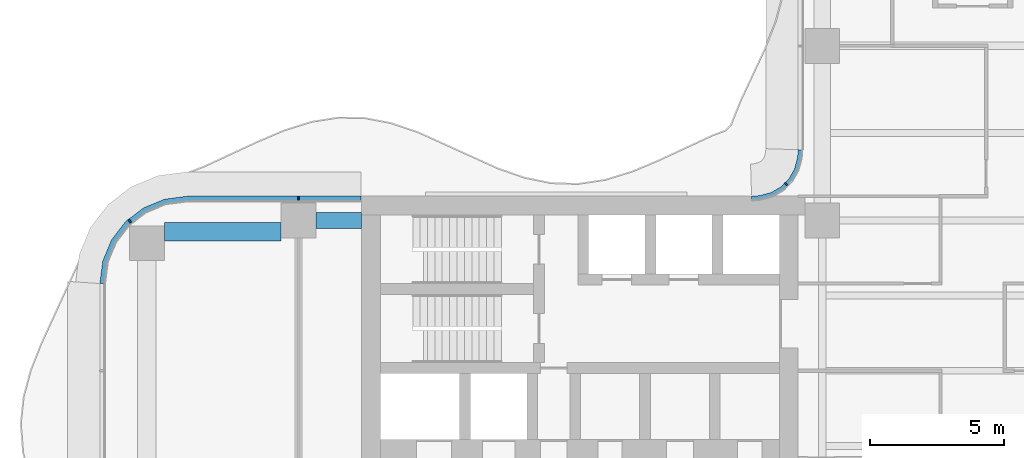
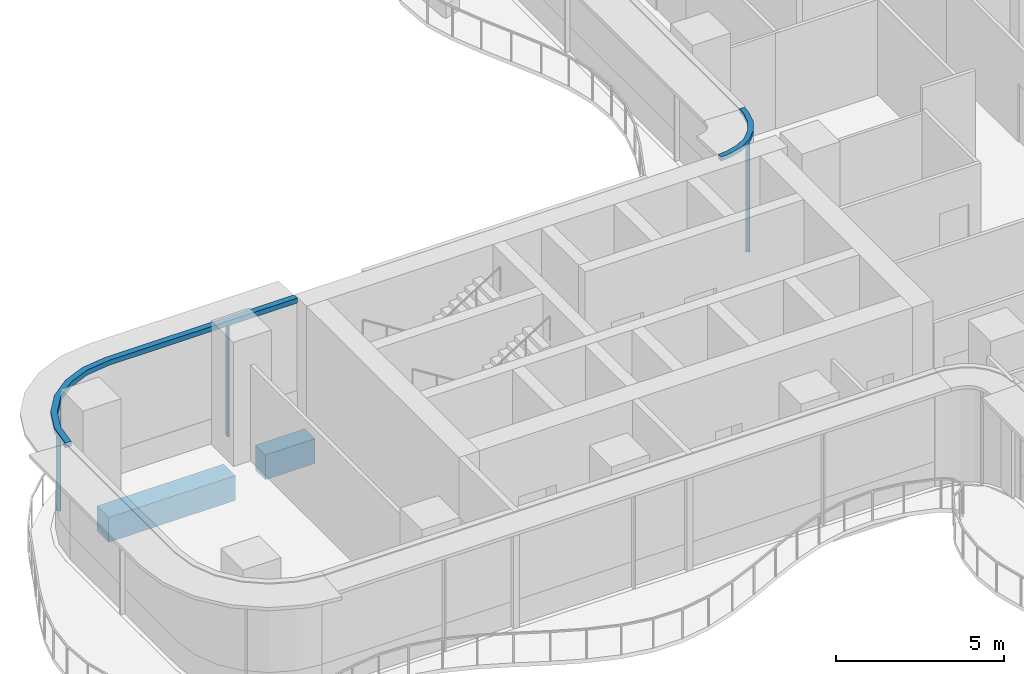
# One storey, part 8 of 20: 5 members, 2 beams, 2 elements without a shape of their own.
"""IFC4 building model written with IfcOpenShell, lengths in metres."""

from ifc_helpers import new_model, si_unit, direction, frame, origin, origin_2d, place, context, subcontext, project, spatial, polyline, rectangle, outline, extrude, source, transform, mapped, material, layer, layer_set, material_profile, profile_set, type_object, element, aggregate, save


model = new_model("IFC4")

# Units and contexts
model_context = context("Model", 3, precision=1e-05, world=origin(), true_north=direction((0.0, 1.0)))
body_context = subcontext(model_context, "Body", "Model", "MODEL_VIEW")
ifc_project = project(units=[si_unit("LENGTHUNIT", "METRE"), si_unit("AREAUNIT", "SQUARE_METRE"), si_unit("VOLUMEUNIT", "CUBIC_METRE"), si_unit("PLANEANGLEUNIT", "RADIAN"), si_unit("MASSUNIT", "GRAM", prefix="KILO")], contexts=[model_context])

# Site, building, storey
site_placement = place(None, origin())
site = spatial("IfcSite", under=ifc_project, at=site_placement, CompositionType="ELEMENT")
building_placement = place(site_placement, origin())
building = spatial("IfcBuilding", under=site, at=building_placement, Name="Trellis Farm Tower", CompositionType="ELEMENT")
storey_placement = place(building_placement, frame((0.0, 0.0, 129.0)))
storey = spatial("IfcBuildingStorey", under=building, at=storey_placement, Name="L27", CompositionType="ELEMENT", Elevation=129.0)

# Beams
ifc_material_1 = material(Name="Concrete C60/75", Category="concrete")
ifc_material_profile_1 = material_profile(ifc_material_1, rectangle(XDim=0.60009765625, YDim=0.89990234375, at=origin_2d()), Name="RC spandrel beam 600x900 C60/75")
ifc_profile_set_1 = profile_set([ifc_material_profile_1], Name="Concrete C60/75")
beam_type_1 = type_object("IfcBeamType", Name="RC spandrel beam 600x900 C60/75", PredefinedType="SPANDREL", material=ifc_profile_set_1)
shared_shape_1 = source(origin(), body_context, "Body", "SweptSolid", [
    extrude(rectangle(XDim=0.60009765625, YDim=0.89990234375, at=origin_2d()), origin(), (0.0, 0.0, 1.0), 1.699951171875),
])
beam_1_placement = place(storey_placement, frame((-24.449951171875, 5.60009765625, -0.699951171875), z_axis=(1.0, 0.0, 0.0), x_axis=(0.0, 1.0, 0.0)))
element("IfcBeam", 1, at=beam_1_placement, inside=storey, type_object=beam_type_1, Name="Girder", PredefinedType="SPANDREL", context=body_context, shape_type="MappedRepresentation", body=[
    mapped(shared_shape_1, transform((0.0, 0.0, 0.0))),
])
ifc_material_profile_2 = material_profile(ifc_material_1, rectangle(XDim=0.699951171875, YDim=0.89990234375, at=origin_2d()), Name="RC spandrel beam 700x900 C60/75")
ifc_profile_set_2 = profile_set([ifc_material_profile_2], Name="Concrete C60/75")
beam_type_2 = type_object("IfcBeamType", Name="RC spandrel beam 700x900 C60/75", PredefinedType="SPANDREL", material=ifc_profile_set_2)
shared_shape_2 = source(origin(), body_context, "Body", "SweptSolid", [
    extrude(rectangle(XDim=0.699951171875, YDim=0.89990234375, at=origin_2d()), origin(), (0.0, 0.0, 1.0), 4.35009765625),
])
beam_2_placement = place(storey_placement, frame((-30.10009765625, 5.175048828125, -0.699951171875), z_axis=(1.0, 0.0, 0.0), x_axis=(0.0, 1.0, 0.0)))
element("IfcBeam", 2, at=beam_2_placement, inside=storey, type_object=beam_type_2, Name="Girder", PredefinedType="SPANDREL", context=body_context, shape_type="MappedRepresentation", body=[
    mapped(shared_shape_2, transform((0.0, 0.0, 0.0))),
])

# Curtain wall, members
ifc_material_2 = material(Name="Aluminium and glass curtain wall", Category="aluminium")
ifc_layer_1 = layer(ifc_material_2, 0.18994140625)
ifc_layer_set_1 = layer_set([ifc_layer_1], Name="RIBBON CURTAIN WALL CW1")
curtain_wall_type_1 = type_object("IfcCurtainWallType", Name="RIBBON CURTAIN WALL CW1", PredefinedType="NOTDEFINED", material=ifc_layer_set_1)
placement = place(storey_placement, origin())
curtain_wall_1 = element("IfcCurtainWall", 3, at=placement, inside=storey, type_object=curtain_wall_type_1, Name="CW1 012", PredefinedType="NOTDEFINED")
ifc_material_3 = material(Name="Aluminium extrusion 6063-T6", Category="aluminium")
ifc_material_profile_3 = material_profile(ifc_material_3, rectangle(XDim=0.06005859375, YDim=0.14990234375, at=origin_2d()), Name="MULLION 60x150")
ifc_profile_set_3 = profile_set([ifc_material_profile_3], Name="Aluminium extrusion 6063-T6")
member_type_1 = type_object("IfcMemberType", Name="CW1 MULLION 60x150", PredefinedType="MULLION", material=ifc_profile_set_3)
shared_shape_3 = source(origin(), body_context, "Body", "SweptSolid", [
    extrude(rectangle(XDim=0.06005859375, YDim=0.14990234375, at=origin_2d()), origin(), (0.0, 0.0, 1.0), 4.070068359375),
])
member_1_placement = place(storey_placement, frame((-25.10009765625, 6.425048828125, 0.0), z_axis=(0.0, 0.0, 1.0), x_axis=(-1.0, 0.0, 0.0)))
member_1 = element("IfcMember", 4, at=member_1_placement, type_object=member_type_1, Name="MU1 012-01", PredefinedType="MULLION", context=body_context, shape_type="MappedRepresentation", body=[
    mapped(shared_shape_3, transform((0.0, 0.0, 0.0))),
])
member_2_placement = place(storey_placement, frame((-31.385498046875, 5.578369140625, 0.0), z_axis=(0.0, 0.0, 1.0), x_axis=(-0.793353340291, -0.608761429009, 0.0)))
member_2 = element("IfcMember", 5, at=member_2_placement, type_object=member_type_1, Name="MU1 012-02", PredefinedType="MULLION", context=body_context, shape_type="MappedRepresentation", body=[
    mapped(shared_shape_3, transform((0.0, 0.0, 0.0))),
])

ifc_layer_2 = layer(ifc_material_2, 0.166015625)
ifc_layer_set_2 = layer_set([ifc_layer_2], Name="WINTER GARDEN CURTAIN WALL CW3")
curtain_wall_type_2 = type_object("IfcCurtainWallType", Name="WINTER GARDEN CURTAIN WALL CW3", PredefinedType="NOTDEFINED", material=ifc_layer_set_2)
curtain_wall_2 = element("IfcCurtainWall", 6, at=placement, inside=storey, type_object=curtain_wall_type_2, Name="CW3 004", PredefinedType="NOTDEFINED")
ifc_material_profile_4 = material_profile(ifc_material_3, rectangle(XDim=0.050048828125, YDim=0.1201171875, at=origin_2d()), Name="MULLION 50x120")
ifc_profile_set_4 = profile_set([ifc_material_profile_4], Name="Aluminium extrusion 6063-T6")
member_type_2 = type_object("IfcMemberType", Name="CW3 MULLION 50x120", PredefinedType="MULLION", material=ifc_profile_set_4)
shared_shape_4 = source(origin(), body_context, "Body", "SweptSolid", [
    extrude(rectangle(XDim=0.050048828125, YDim=0.1201171875, at=origin_2d()), origin(), (0.0, 0.0, 1.0), 4.10009765625),
])
member_3_placement = place(storey_placement, frame((-6.953125, 6.953125, 0.0), z_axis=(0.0, 0.0, 1.0), x_axis=(-0.707106781187, -0.707106781187, 0.0)))
member_3 = element("IfcMember", 7, at=member_3_placement, type_object=member_type_2, Name="MU3 004-01", PredefinedType="MULLION", context=body_context, shape_type="MappedRepresentation", body=[
    mapped(shared_shape_4, transform((0.0, 0.0, 0.0))),
])
ifc_layer_3 = layer(ifc_material_3, 0.169921875)
ifc_layer_set_3 = layer_set([ifc_layer_3], Name="Aluminium extrusion 6063-T6")
member_type_3 = type_object("IfcMemberType", Name="CW3 TRANSOM 170x150", PredefinedType="USERDEFINED", material=ifc_layer_set_3)
shared_shape_5 = source(origin(), body_context, "Body", "SweptSolid", [
    extrude(outline(polyline([(-6.5, 8.2314453125), (-6.513916015625, 8.01953125), (-6.527587890625, 7.91552734375), (-6.63671875, 7.508544921875), (-6.846923828125, 7.144287109375), (-7.144287109375, 6.846923828125), (-7.508544921875, 6.63671875), (-7.91552734375, 6.527587890625), (-8.01953125, 6.513916015625), (-8.2314453125, 6.5), (-8.225830078125, 6.330078125), (-8.0029296875, 6.3447265625), (-7.88232421875, 6.360595703125), (-7.44287109375, 6.478271484375), (-7.0400390625, 6.7109375), (-6.7109375, 7.0400390625), (-6.478271484375, 7.44287109375), (-6.360595703125, 7.88232421875), (-6.3447265625, 8.0029296875), (-6.330078125, 8.225830078125), (-6.5, 8.2314453125)])), origin(), (0.0, 0.0, 1.0), 0.14990234375),
])
member_4_placement = place(storey_placement, frame((0.0, 0.0, 4.10009765625)))
member_4 = element("IfcMember", 8, at=member_4_placement, type_object=member_type_3, Name="TR3 004", ObjectType="TRANSOM", PredefinedType="USERDEFINED", context=body_context, shape_type="MappedRepresentation", body=[
    mapped(shared_shape_5, transform((0.0, 0.0, 0.0))),
])
aggregate(curtain_wall_2, [member_3, member_4])

# Member
ifc_layer_4 = layer(ifc_material_3, 0.199951171875)
ifc_layer_set_4 = layer_set([ifc_layer_4], Name="Aluminium extrusion 6063-T6")
member_type_4 = type_object("IfcMemberType", Name="CW1 TRANSOM 200x180", PredefinedType="USERDEFINED", material=ifc_layer_set_4)
shared_shape_6 = source(origin(), body_context, "Body", "SweptSolid", [
    extrude(outline(polyline([(-22.780029296875, 6.5), (-29.25, 6.5), (-30.091064453125, 6.38916015625), (-30.875, 6.064697265625), (-31.548095703125, 5.548095703125), (-32.064697265625, 4.875), (-32.38916015625, 4.091064453125), (-32.5, 3.25), (-32.300048828125, 3.23681640625), (-32.1943359375, 4.0390625), (-31.889892578125, 4.774169921875), (-31.405517578125, 5.405517578125), (-30.774169921875, 5.889892578125), (-30.0390625, 6.1943359375), (-29.23681640625, 6.300048828125), (-22.780029296875, 6.300048828125), (-22.780029296875, 6.5)])), origin(), (0.0, 0.0, 1.0), 0.179931640625),
])
member_5_placement = place(storey_placement, frame((0.0, 0.0, 4.070068359375)))
member_5 = element("IfcMember", 9, at=member_5_placement, type_object=member_type_4, Name="TR1 012", ObjectType="TRANSOM", PredefinedType="USERDEFINED", context=body_context, shape_type="MappedRepresentation", body=[
    mapped(shared_shape_6, transform((0.0, 0.0, 0.0))),
])

aggregate(curtain_wall_1, [member_1, member_2, member_5])

save(model, "model.ifc")
